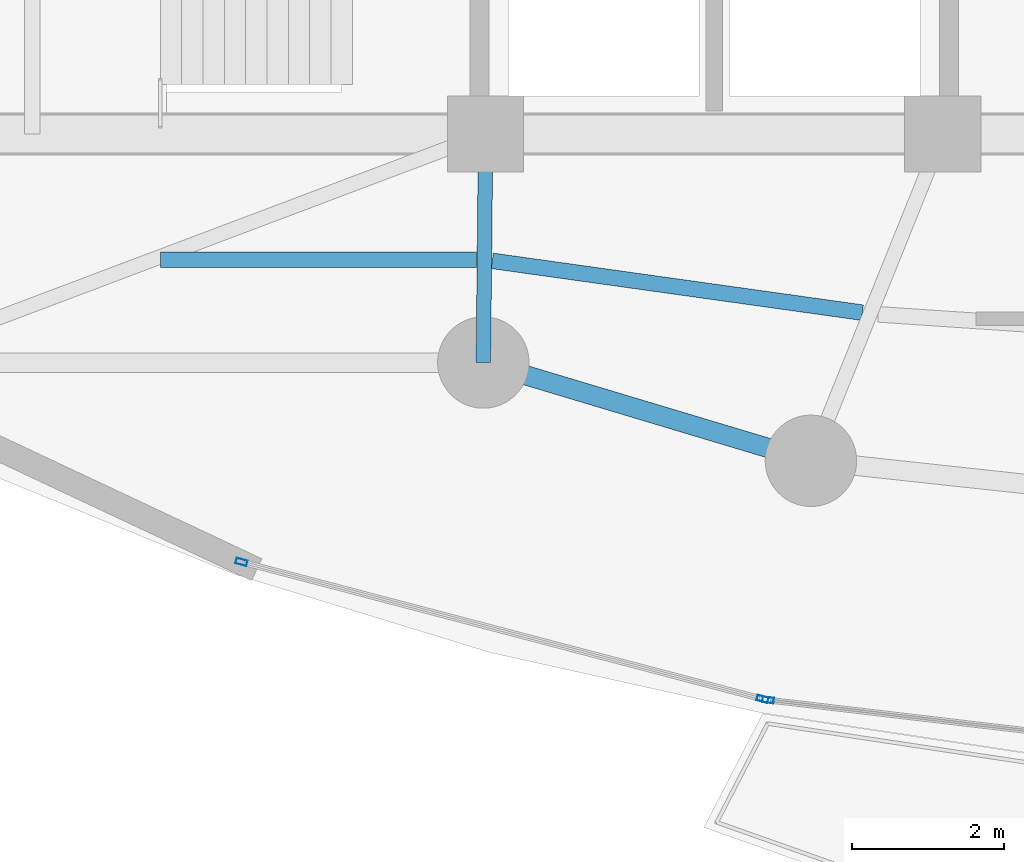
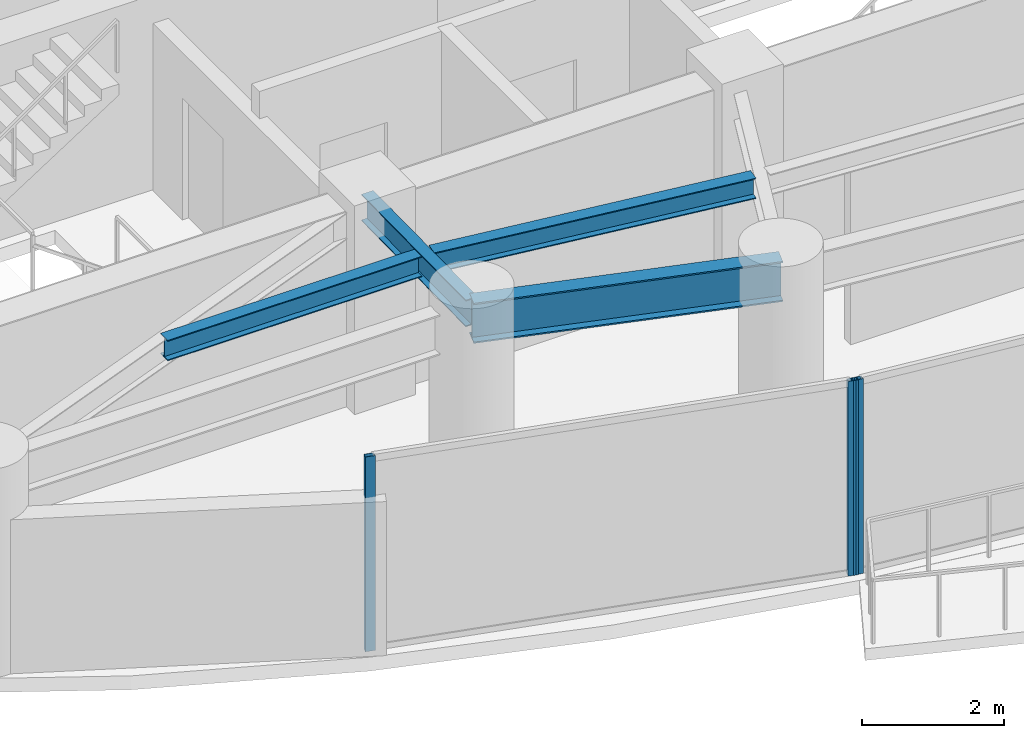
# One storey, part 5 of 34: 4 beams, 3 members, 2 elements without a shape of their own.
"""IFC4 building model written with IfcOpenShell, lengths in metres."""

import ifcopenshell
import ifcopenshell.guid

model = None  # the IFC model being written
_history = None  # IfcOwnerHistory: only IFC2X3 demands one
_inside = {}  # id of a spatial element -> (the spatial element, [elements in it])
_under = {}  # id of a project, library or spatial element -> (it, [spatial elements below it])
_declared = {}  # id of a project -> (the project, [libraries it declares])
_typed = {}  # id of a type object -> (the type object, [elements of that type])
_made_of = {}  # id of a material, layer set ... -> (it, [elements and type objects made of it])


def new_model(schema):
    """Start an empty IFC model of exactly this schema.

    Asked for "IFC4X3", IfcOpenShell would pick the latest addendum, in which some entities
    have other attributes; the version numbers below select the first issue.
    IFC2X3 requires an IfcOwnerHistory on every rooted entity: one is made here for all.
    """
    global model, _history
    if schema == "IFC4X3":
        model = ifcopenshell.file(schema_version=(4, 3, 0, 0))
    else:
        model = ifcopenshell.file(schema=schema)
    _inside.clear()
    _under.clear()
    _declared.clear()
    _typed.clear()
    _made_of.clear()
    _history = None
    if model.schema == "IFC2X3":
        org = make("IfcOrganization", Name="unknown")
        user = make(
            "IfcPersonAndOrganization",
            ThePerson=make("IfcPerson", FamilyName="unknown"),
            TheOrganization=org,
        )
        app = make(
            "IfcApplication",
            ApplicationDeveloper=org,
            Version="unknown",
            ApplicationFullName="unknown",
            ApplicationIdentifier="unknown",
        )
        _history = make(
            "IfcOwnerHistory",
            OwningUser=user,
            OwningApplication=app,
            ChangeAction="ADDED",
            CreationDate=0,
        )
    return model


def make(cls, **values):
    """One entity of the class cls with the attributes given. An attribute that is None is left unset."""
    return model.create_entity(
        cls, **{name: value for name, value in values.items() if value is not None}
    )


def rooted(cls, **values):
    """An entity with a GlobalId (a new one), such as an element, a storey or a relation."""
    return make(cls, GlobalId=ifcopenshell.guid.new(), OwnerHistory=_history, **values)


def si_unit(unit_type, name, prefix=None):
    """IfcSIUnit, for example si_unit("LENGTHUNIT", "METRE", prefix="MILLI")."""
    return make("IfcSIUnit", UnitType=unit_type, Prefix=prefix, Name=name)


def assignment(units):
    """IfcUnitAssignment: the units of a project."""
    return None if units is None else make("IfcUnitAssignment", Units=units)


def point(xyz):
    """IfcCartesianPoint."""
    return None if xyz is None else make("IfcCartesianPoint", Coordinates=xyz)


def direction(xyz):
    """IfcDirection."""
    return None if xyz is None else make("IfcDirection", DirectionRatios=xyz)


def frame(location, z_axis=None, x_axis=None):
    """IfcAxis2Placement3D, a coordinate frame: its origin and axes. An axis left out is left unset."""
    return make(
        "IfcAxis2Placement3D",
        Location=point(location),
        Axis=direction(z_axis),
        RefDirection=direction(x_axis),
    )


def frame_2d(location, x_axis=None):
    """IfcAxis2Placement2D, a coordinate frame in the plane: its origin and x axis."""
    return make(
        "IfcAxis2Placement2D", Location=point(location), RefDirection=direction(x_axis)
    )


def origin():
    """The frame at (0, 0, 0) with its axes left unset."""
    return frame((0.0, 0.0, 0.0))


def origin_2d():
    """The frame at (0, 0) in the plane with its x axis left unset."""
    return frame_2d((0.0, 0.0))


def place(relative_to, where):
    """IfcLocalPlacement: puts the frame where relative to a parent placement (None: the world)."""
    return make(
        "IfcLocalPlacement", PlacementRelTo=relative_to, RelativePlacement=where
    )


def context(
    kind, dimensions, precision=None, world=None, true_north=None, identifier=None
):
    """IfcGeometricRepresentationContext, for example the 3D "Model" context."""
    return make(
        "IfcGeometricRepresentationContext",
        ContextIdentifier=identifier,
        ContextType=kind,
        CoordinateSpaceDimension=dimensions,
        Precision=precision,
        WorldCoordinateSystem=world,
        TrueNorth=true_north,
    )


def subcontext(parent, identifier, kind, view, scale=None):
    """IfcGeometricRepresentationSubContext, for example "Body" below "Model"."""
    return make(
        "IfcGeometricRepresentationSubContext",
        ContextIdentifier=identifier,
        ContextType=kind,
        ParentContext=parent,
        TargetScale=scale,
        TargetView=view,
    )


def project(units=None, contexts=None):
    """IfcProject with its units and contexts."""
    return rooted(
        "IfcProject",
        Name="project",
        RepresentationContexts=contexts,
        UnitsInContext=assignment(units),
    )


def spatial(cls, under=None, at=None, **own):
    """A site, building, storey or space (cls), placed at a placement, below another one or the project."""
    s = rooted(cls, ObjectPlacement=at, **own)
    if under is not None:
        _under.setdefault(under.id(), (under, []))[1].append(s)
    return s


def profile(cls, at=None, kind="AREA", **sizes):
    """A parametric profile (cls). Its sizes go by their IFC names, for example OverallWidth=200.0."""
    return make(cls, ProfileType=kind, Position=at, **sizes)


def hollow_rectangle(**sizes):
    """IfcRectangleHollowProfileDef."""
    return profile("IfcRectangleHollowProfileDef", **sizes)


def i_section(**sizes):
    """IfcIShapeProfileDef."""
    return profile("IfcIShapeProfileDef", **sizes)


def extrude(swept, where, along, depth):
    """IfcExtrudedAreaSolid: the profile swept, set in the frame where, extruded along a direction by depth."""
    return make(
        "IfcExtrudedAreaSolid",
        SweptArea=swept,
        Position=where,
        ExtrudedDirection=direction(along),
        Depth=depth,
    )


def shape(context_of_items, identifier, shape_type, items):
    """IfcShapeRepresentation: the items that make up one representation, for example the "Body"."""
    return make(
        "IfcShapeRepresentation",
        ContextOfItems=context_of_items,
        RepresentationIdentifier=identifier,
        RepresentationType=shape_type,
        Items=items,
    )


def material(Name=None, Category=None):
    """IfcMaterial."""
    return make("IfcMaterial", Name=Name, Category=Category)


def layer(
    of_material, thickness, ventilated=None, Name=None, Category=None, Priority=None
):
    """IfcMaterialLayer: one layer of a wall or slab, of a material (None: an air gap)."""
    return make(
        "IfcMaterialLayer",
        Material=of_material,
        LayerThickness=thickness,
        IsVentilated=ventilated,
        Name=Name,
        Category=Category,
        Priority=Priority,
    )


def layer_set(layers, Name=None):
    """IfcMaterialLayerSet."""
    return make("IfcMaterialLayerSet", MaterialLayers=layers, LayerSetName=Name)


def material_profile(
    of_material, cross_section, Name=None, Category=None, Priority=None
):
    """IfcMaterialProfile: a cross section and its material."""
    return make(
        "IfcMaterialProfile",
        Name=Name,
        Material=of_material,
        Profile=cross_section,
        Priority=Priority,
        Category=Category,
    )


def profile_set(profiles, Name=None, composite=None):
    """IfcMaterialProfileSet."""
    return make(
        "IfcMaterialProfileSet",
        Name=Name,
        MaterialProfiles=profiles,
        CompositeProfile=composite,
    )


def made_of(thing, what):
    """Note that an element or type object is made of a material, layer set ...; save() writes the relation."""
    if what is not None:
        _made_of.setdefault(what.id(), (what, []))[1].append(thing)
    return thing


def type_object(cls, material=None, **own):
    """A type object (cls), such as IfcWallType, which elements share."""
    return made_of(rooted(cls, **own), material)


def element(
    cls,
    number,
    at=None,
    inside=None,
    cuts=None,
    type_object=None,
    material=None,
    context=None,
    identifier="Body",
    shape_type=None,
    held_by="IfcProductDefinitionShape",
    body=None,
    shapes=None,
    **own,
):
    """One element of the class cls, such as IfcWall. Its Tag is "e" and its number.

    at: its placement. inside: the storey or other place that contains it. cuts: it is an
    opening in that element (IfcRelVoidsElement). A single representation is given by context,
    identifier, shape_type and body (its items); several are given by shapes. held_by: the class
    of the entity that holds the representations. save() writes the other relations.
    """
    e = rooted(cls, Tag="e%d" % number, ObjectPlacement=at, **own)
    if body is not None:
        shapes = [shape(context, identifier, shape_type, body)]
    if shapes is not None:
        e.Representation = make(held_by, Representations=shapes)
    if inside is not None:
        _inside.setdefault(inside.id(), (inside, []))[1].append(e)
    if cuts is not None:
        rooted(
            "IfcRelVoidsElement", RelatingBuildingElement=cuts, RelatedOpeningElement=e
        )
    if type_object is not None:
        _typed.setdefault(type_object.id(), (type_object, []))[1].append(e)
    return made_of(e, material)


def aggregate(whole, parts):
    """IfcRelAggregates: a whole, such as a stair, and the parts it consists of."""
    return rooted("IfcRelAggregates", RelatingObject=whole, RelatedObjects=parts)


def save(model, path):
    """Write the relations noted so far, then the file.

    IfcRelAggregates (storeys below a building ...), IfcRelContainedInSpatialStructure (elements
    in a storey), IfcRelDefinesByType, IfcRelAssociatesMaterial and IfcRelDeclares: one each for
    every whole, place, type object, material and project.
    """
    for whole, parts in _under.values():
        aggregate(whole, parts)
    for where, things in _inside.values():
        rooted(
            "IfcRelContainedInSpatialStructure",
            RelatedElements=things,
            RelatingStructure=where,
        )
    for kind, things in _typed.values():
        rooted("IfcRelDefinesByType", RelatedObjects=things, RelatingType=kind)
    for what, things in _made_of.values():
        rooted("IfcRelAssociatesMaterial", RelatedObjects=things, RelatingMaterial=what)
    for by, libraries in _declared.values():
        rooted("IfcRelDeclares", RelatingContext=by, RelatedDefinitions=libraries)
    model.write(path)


model = new_model("IFC4")

# Units and contexts
model_context = context("Model", 3, precision=1e-05, world=origin(), true_north=direction((0.0, 1.0)))
body_context = subcontext(model_context, "Body", "Model", "MODEL_VIEW")
ifc_project = project(units=[si_unit("LENGTHUNIT", "METRE"), si_unit("AREAUNIT", "SQUARE_METRE"), si_unit("VOLUMEUNIT", "CUBIC_METRE"), si_unit("PLANEANGLEUNIT", "RADIAN"), si_unit("MASSUNIT", "GRAM", prefix="KILO")], contexts=[model_context])

# Site, building, storey
site_placement = place(None, origin())
site = spatial("IfcSite", under=ifc_project, at=site_placement, CompositionType="ELEMENT")
building_placement = place(site_placement, origin())
building = spatial("IfcBuilding", under=site, at=building_placement, Name="Kazevale Care Tower and Concert Hall", CompositionType="ELEMENT")
storey_placement = place(building_placement, frame((0.0, 0.0, 171.0)))
storey = spatial("IfcBuildingStorey", under=building, at=storey_placement, Name="L45", CompositionType="ELEMENT", Elevation=171.0)

# Curtain wall, member
ifc_material_1 = material(Name="Aluminium 6063-T6 and Low-E Glass", Category="aluminium")
ifc_layer = layer(ifc_material_1, 0.179931640625)
ifc_layer_set = layer_set([ifc_layer], Name="Aluminium 6063-T6 and Low-E Glass")
curtain_wall_type = type_object("IfcCurtainWallType", Name="Sheltered Concave Balcony Curtain Wall CW-5", PredefinedType="NOTDEFINED", material=ifc_layer_set)
curtain_wall_1_placement = place(storey_placement, origin())
curtain_wall_1 = element("IfcCurtainWall", 1, at=curtain_wall_1_placement, inside=storey, type_object=curtain_wall_type, Name="cw:L45:f07", PredefinedType="NOTDEFINED")
ifc_material_2 = material(Name="Aluminium 6063-T6", Category="aluminium")
ifc_material_profile_1 = material_profile(ifc_material_2, hollow_rectangle(XDim=0.074951171875, YDim=0.14990234375, WallThickness=0.00390625, at=origin_2d()), Name="ALU75x150x4")
ifc_profile_set_1 = profile_set([ifc_material_profile_1], Name="Aluminium 6063-T6")
member_type = type_object("IfcMemberType", Name="CW-5 Mullion ALU75x150x4", PredefinedType="MULLION", material=ifc_profile_set_1)
member_1_placement = place(storey_placement, frame((33.708251953125, 16.169677734375, 0.0), z_axis=(0.0, 0.0, 1.0), x_axis=(-0.117372179238, -0.993087997884, 0.0)))
member_1 = element("IfcMember", 2, at=member_1_placement, type_object=member_type, Name="CW-5 mullion 2", PredefinedType="MULLION", context=body_context, shape_type="SweptSolid", body=[
    extrude(hollow_rectangle(XDim=0.074951171875, YDim=0.14990234375, WallThickness=0.00390625, at=origin_2d()), origin(), (0.0, 0.0, 1.0), 3.360107421875),
])
aggregate(curtain_wall_1, [member_1])

# Curtain wall, members
curtain_wall_2_placement = place(storey_placement, origin())
curtain_wall_2 = element("IfcCurtainWall", 3, at=curtain_wall_2_placement, inside=storey, type_object=curtain_wall_type, Name="cw:L45:f08", PredefinedType="NOTDEFINED")
member_2_placement = place(storey_placement, frame((33.634765625, 16.18359375, 0.0), z_axis=(0.0, 0.0, 1.0), x_axis=(-0.254238458229, -0.967141564797, 0.0)))
member_2 = element("IfcMember", 4, at=member_2_placement, type_object=member_type, Name="CW-5 mullion 1", PredefinedType="MULLION", context=body_context, shape_type="SweptSolid", body=[
    extrude(hollow_rectangle(XDim=0.074951171875, YDim=0.14990234375, WallThickness=0.00390625, at=origin_2d()), origin(), (0.0, 0.0, 1.0), 3.360107421875),
])
member_3_placement = place(storey_placement, frame((26.795166015625, 17.9814453125, 0.0), z_axis=(0.0, 0.0, 1.0), x_axis=(-0.254238458229, -0.967141564797, 0.0)))
member_3 = element("IfcMember", 5, at=member_3_placement, type_object=member_type, Name="CW-5 mullion 2", PredefinedType="MULLION", context=body_context, shape_type="SweptSolid", body=[
    extrude(hollow_rectangle(XDim=0.074951171875, YDim=0.14990234375, WallThickness=0.00390625, at=origin_2d()), origin(), (0.0, 0.0, 1.0), 3.360107421875),
])
aggregate(curtain_wall_2, [member_2, member_3])

# Beams
ifc_material_3 = material(Name="Steel ASTM A572 Gr 50", Category="steel")
ifc_material_profile_2 = material_profile(ifc_material_3, i_section(OverallWidth=0.19091796875, OverallDepth=0.4599609375, WebThickness=0.010009765625, FlangeThickness=0.01611328125, at=origin_2d()), Name="W460x82")
ifc_profile_set_2 = profile_set([ifc_material_profile_2], Name="Steel ASTM A572 Gr 50")
beam_type_1 = type_object("IfcBeamType", Name="Radial Floor Beam W460x82", PredefinedType="BEAM", material=ifc_profile_set_2)
beam_1_placement = place(storey_placement, frame((30.0, 23.60009765625, 3.1298828125), z_axis=(-0.010009264196, -0.99994990606, 0.0), x_axis=(0.99994990606, -0.010009264196, 0.0)))
element("IfcBeam", 6, at=beam_1_placement, inside=storey, type_object=beam_type_1, Name="beam:L45:rad:11", PredefinedType="BEAM", context=body_context, shape_type="SweptSolid", body=[
    extrude(i_section(OverallWidth=0.19091796875, OverallDepth=0.4599609375, WebThickness=0.010009765625, FlangeThickness=0.01611328125, at=origin_2d()), origin(), (0.0, 0.0, 1.0), 3.000244140625),
])
ifc_material_profile_3 = material_profile(ifc_material_3, i_section(OverallWidth=0.205078125, OverallDepth=0.35400390625, WebThickness=0.009521484375, FlangeThickness=0.016845703125, at=origin_2d()), Name="W360x79")
ifc_profile_set_3 = profile_set([ifc_material_profile_3], Name="Steel ASTM A572 Gr 50")
beam_type_2 = type_object("IfcBeamType", Name="Secondary Floor Joist W360x79", PredefinedType="JOIST", material=ifc_profile_set_3)
beam_2_placement = place(storey_placement, frame((25.73291015625, 21.949951171875, 3.18310546875), z_axis=(1.0, 0.0, 0.0), x_axis=(0.0, 1.0, 0.0)))
element("IfcBeam", 7, at=beam_2_placement, inside=storey, type_object=beam_type_2, Name="beam:L45:joist:10", PredefinedType="JOIST", context=body_context, shape_type="SweptSolid", body=[
    extrude(i_section(OverallWidth=0.205078125, OverallDepth=0.35400390625, WebThickness=0.009521484375, FlangeThickness=0.016845703125, at=origin_2d()), origin(), (0.0, 0.0, 1.0), 4.14501953125),
])
beam_3_placement = place(storey_placement, frame((30.0869140625, 21.93505859375, 3.18310546875), z_axis=(0.990340789942, -0.138654678164, 0.0), x_axis=(0.138654678164, 0.990340789942, 0.0)))
element("IfcBeam", 8, at=beam_3_placement, inside=storey, type_object=beam_type_2, Name="beam:L45:joist:11", PredefinedType="JOIST", context=body_context, shape_type="SweptSolid", body=[
    extrude(i_section(OverallWidth=0.205078125, OverallDepth=0.35400390625, WebThickness=0.009521484375, FlangeThickness=0.016845703125, at=origin_2d()), origin(), (0.0, 0.0, 1.0), 4.905517578125),
])
ifc_material_profile_4 = material_profile(ifc_material_3, i_section(OverallWidth=0.256103515625, OverallDepth=0.693115234375, WebThickness=0.014404296875, FlangeThickness=0.023681640625, at=origin_2d()), Name="W690x170")
ifc_profile_set_4 = profile_set([ifc_material_profile_4], Name="Steel ASTM A572 Gr 50")
beam_type_3 = type_object("IfcBeamType", Name="Waist Ring Beam W690x170", PredefinedType="BEAM", material=ifc_profile_set_4)
beam_4_placement = place(storey_placement, frame((29.969970703125, 20.60009765625, 3.013427734375), z_axis=(0.957824788464, -0.287352874709, 0.0), x_axis=(0.287352874709, 0.957824788464, 0.0)))
element("IfcBeam", 9, at=beam_4_placement, inside=storey, type_object=beam_type_3, Name="beam:L45:ring:11", PredefinedType="BEAM", context=body_context, shape_type="SweptSolid", body=[
    extrude(i_section(OverallWidth=0.256103515625, OverallDepth=0.693115234375, WebThickness=0.014404296875, FlangeThickness=0.023681640625, at=origin_2d()), origin(), (0.0, 0.0, 1.0), 4.489501953125),
])

save(model, "model.ifc")
